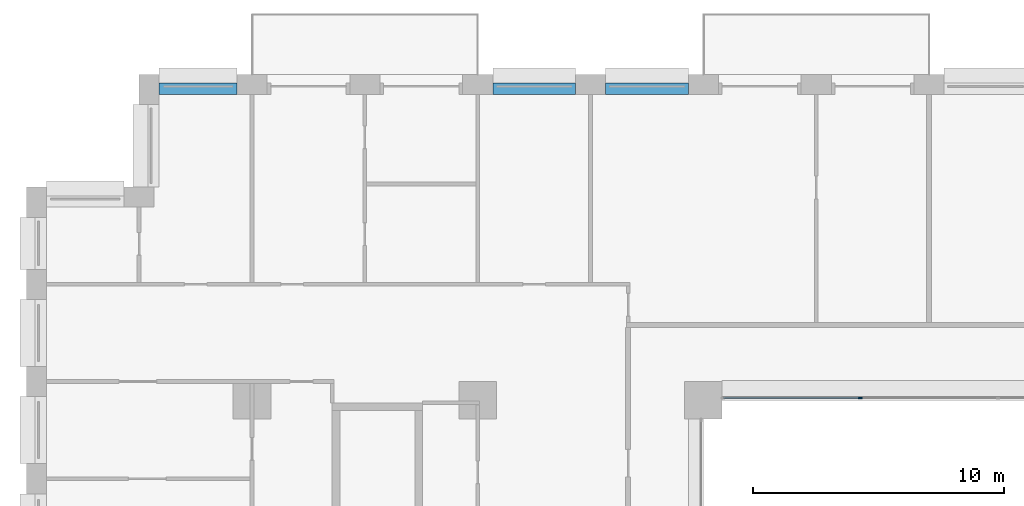
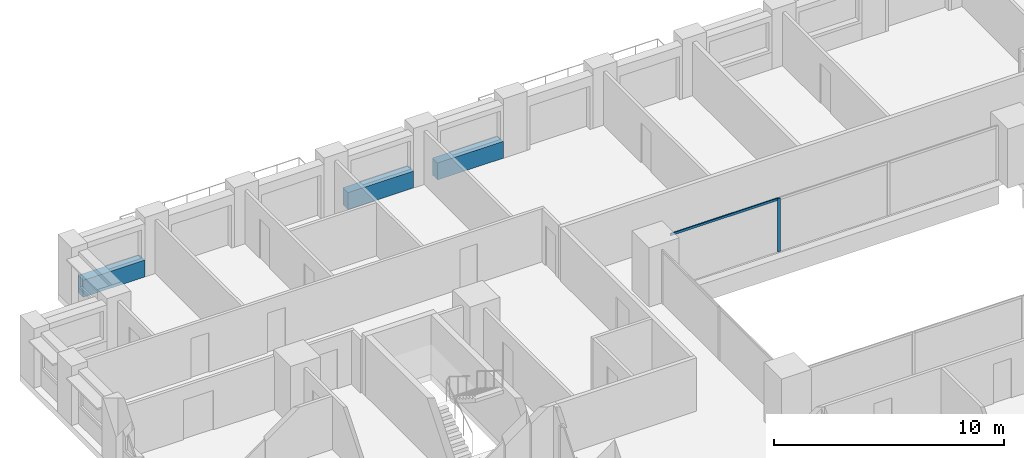
# One storey, part 6 of 19: 3 beams, 2 members, 1 element without a shape of its own.
"""IFC4 building model written with IfcOpenShell, lengths in metres."""

from ifc_helpers import new_model, si_unit, direction, frame, origin, origin_2d, place, context, subcontext, project, spatial, rectangle, extrude, material, layer, layer_set, material_profile, profile_set, type_object, element, aggregate, save


model = new_model("IFC4")

# Units and contexts
model_context = context("Model", 3, precision=1e-05, world=origin(), true_north=direction((0.0, 1.0)))
body_context = subcontext(model_context, "Body", "Model", "MODEL_VIEW")
ifc_project = project(units=[si_unit("LENGTHUNIT", "METRE"), si_unit("AREAUNIT", "SQUARE_METRE"), si_unit("VOLUMEUNIT", "CUBIC_METRE"), si_unit("PLANEANGLEUNIT", "RADIAN"), si_unit("MASSUNIT", "GRAM", prefix="KILO")], contexts=[model_context])

# Site, building, storey
site_placement = place(None, origin())
site = spatial("IfcSite", under=ifc_project, at=site_placement, CompositionType="ELEMENT")
building_placement = place(site_placement, origin())
building = spatial("IfcBuilding", under=site, at=building_placement, Name="Brigalow Station Residences", CompositionType="ELEMENT")
storey_placement = place(building_placement, frame((0.0, 0.0, 22.64990234375)))
storey = spatial("IfcBuildingStorey", under=building, at=storey_placement, Name="L05", CompositionType="ELEMENT", Elevation=22.64990234375)

# Curtain wall, members
ifc_material_1 = material(Name="Aluminium", Category="aluminium")
ifc_layer = layer(ifc_material_1, 0.14990234375)
ifc_layer_set = layer_set([ifc_layer], Name="ATRIUM FIRE-RATED GLAZING CURTAIN WALL")
curtain_wall_type = type_object("IfcCurtainWallType", Name="ATRIUM FIRE-RATED GLAZING CURTAIN WALL", PredefinedType="NOTDEFINED", material=ifc_layer_set)
curtain_wall_placement = place(storey_placement, origin())
curtain_wall = element("IfcCurtainWall", 1, at=curtain_wall_placement, inside=storey, type_object=curtain_wall_type, Name="L05/cw/atrium-N", PredefinedType="NOTDEFINED")
ifc_material_2 = material(Name="Aluminium", Category="aluminium")
ifc_material_profile_1 = material_profile(ifc_material_2, rectangle(XDim=0.06005859375, YDim=0.14990234375, at=origin_2d()), Name="ATRIUM FIRE-RATED GLAZING MULLION 60x150")
ifc_profile_set_1 = profile_set([ifc_material_profile_1], Name="Aluminium")
member_type_1 = type_object("IfcMemberType", Name="ATRIUM FIRE-RATED GLAZING MULLION 60x150", PredefinedType="MULLION", material=ifc_profile_set_1)
member_1_placement = place(storey_placement, frame((33.25, 35.60009765625, 0.0), z_axis=(0.0, 0.0, 1.0), x_axis=(0.0, -1.0, 0.0)))
member_1 = element("IfcMember", 2, at=member_1_placement, type_object=member_type_1, Name="L05/cw/atrium-N/M02", PredefinedType="MULLION", context=body_context, shape_type="SweptSolid", body=[
    extrude(rectangle(XDim=0.06005859375, YDim=0.14990234375, at=origin_2d()), origin(), (0.0, 0.0, 1.0), 2.830078125),
])
ifc_material_3 = material(Name="Aluminium", Category="aluminium")
ifc_material_profile_2 = material_profile(ifc_material_3, rectangle(XDim=0.06005859375, YDim=0.1201171875, at=origin_2d()), Name="ATRIUM FIRE-RATED GLAZING TRANSOM 60x120")
ifc_profile_set_2 = profile_set([ifc_material_profile_2], Name="Aluminium")
member_type_2 = type_object("IfcMemberType", Name="ATRIUM FIRE-RATED GLAZING TRANSOM 60x120", PredefinedType="USERDEFINED", material=ifc_profile_set_2)
member_2_placement = place(storey_placement, frame((33.219970703125, 35.60009765625, 2.800048828125), z_axis=(-1.0, 0.0, 0.0), x_axis=(0.0, -1.0, 0.0)))
member_2 = element("IfcMember", 3, at=member_2_placement, type_object=member_type_2, Name="L05/cw/atrium-N/T02-00", ObjectType="TRANSOM", PredefinedType="USERDEFINED", context=body_context, shape_type="SweptSolid", body=[
    extrude(rectangle(XDim=0.06005859375, YDim=0.1201171875, at=origin_2d()), origin(), (0.0, 0.0, 1.0), 5.409912109375),
])
aggregate(curtain_wall, [member_1, member_2])

# Beams
ifc_material_4 = material(Name="Concrete C65", Category="concrete")
ifc_material_profile_3 = material_profile(ifc_material_4, rectangle(XDim=0.449951171875, YDim=0.89990234375, at=origin_2d()), Name="RC450x900")
ifc_profile_set_3 = profile_set([ifc_material_profile_3], Name="Concrete C65")
beam_type = type_object("IfcBeamType", Name="SPANDREL BEAM 450x900 C65", PredefinedType="SPANDREL", material=ifc_profile_set_3)
for number, where, z_axis, x_axis, name in (
    (4, (26.39990234375, 47.925048828125, 0.4501953125), (-1.0, 0.0, 0.0), (0.0, -1.0, 0.0), "L05/spandrel/W-L05-35"),
    (5, (21.89990234375, 47.925048828125, 0.4501953125), (-1.0, 0.0, 0.0), (0.0, -1.0, 0.0), "L05/spandrel/W-L05-36"),
):
    element("IfcBeam", number, at=place(storey_placement, frame(where, z_axis=z_axis, x_axis=x_axis)), inside=storey, type_object=beam_type, Name=name, PredefinedType="SPANDREL", context=body_context, shape_type="SweptSolid", body=[
        extrude(rectangle(XDim=0.449951171875, YDim=0.89990234375, at=origin_2d()), origin(), (0.0, 0.0, 1.0), 3.2998046875),
    ])
beam_placement = place(storey_placement, frame((8.39990234375, 47.925048828125, 0.4501953125), z_axis=(-1.0, 0.0, 0.0), x_axis=(0.0, -1.0, 0.0)))
element("IfcBeam", 6, at=beam_placement, inside=storey, type_object=beam_type, Name="L05/spandrel/W-L05-39", PredefinedType="SPANDREL", context=body_context, shape_type="SweptSolid", body=[
    extrude(rectangle(XDim=0.449951171875, YDim=0.89990234375, at=origin_2d()), origin(), (0.0, 0.0, 1.0), 3.099853515625),
])

save(model, "model.ifc")
